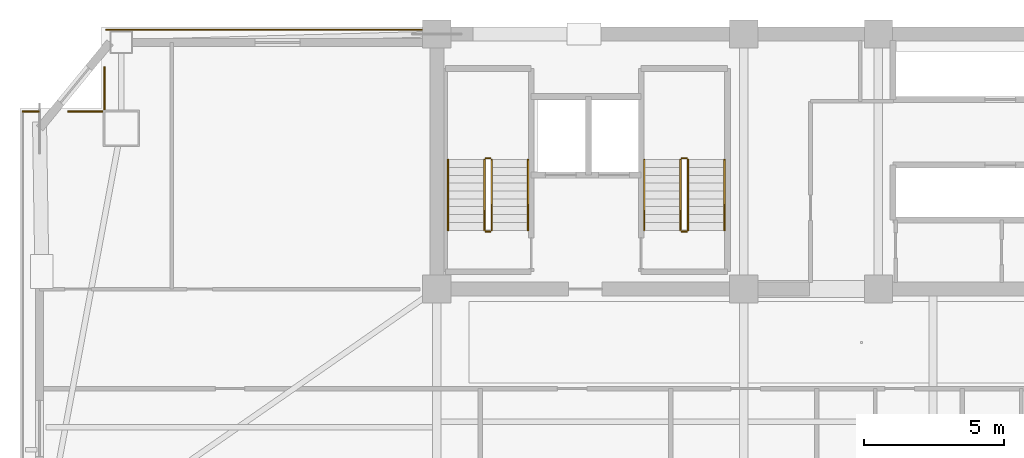
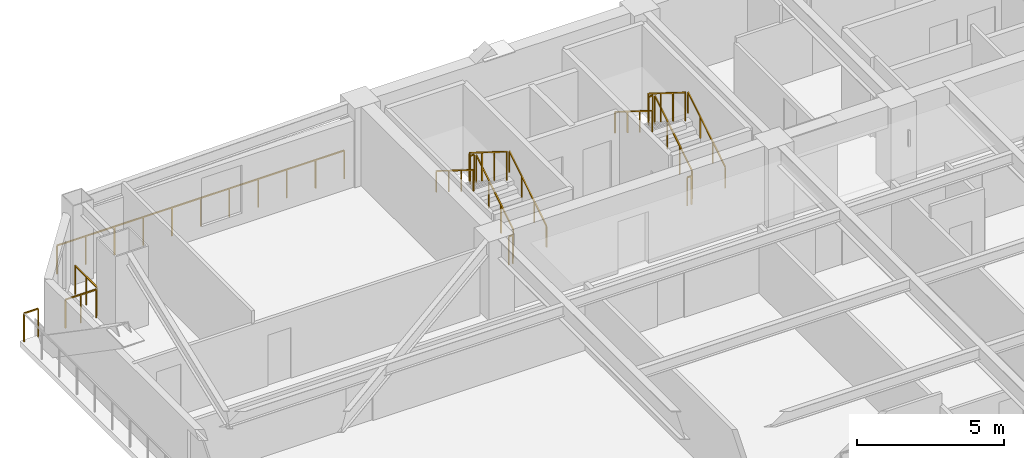
# One storey, part 15 of 16: 16 railings.
"""IFC4 building model written with IfcOpenShell, lengths in metres."""

from ifc_helpers import new_model, si_unit, direction, frame, origin, origin_2d, place, context, subcontext, project, spatial, rectangle, extrude, material, type_object, element, save


model = new_model("IFC4")

# Units and contexts
model_context = context("Model", 3, precision=1e-05, world=origin(), true_north=direction((0.0, 1.0)))
body_context = subcontext(model_context, "Body", "Model", "MODEL_VIEW")
ifc_project = project(units=[si_unit("LENGTHUNIT", "METRE"), si_unit("AREAUNIT", "SQUARE_METRE"), si_unit("VOLUMEUNIT", "CUBIC_METRE"), si_unit("PLANEANGLEUNIT", "RADIAN"), si_unit("MASSUNIT", "GRAM", prefix="KILO")], contexts=[model_context])

# Site, building, storey
site_placement = place(None, origin())
site = spatial("IfcSite", under=ifc_project, at=site_placement, CompositionType="ELEMENT")
building_placement = place(site_placement, origin())
building = spatial("IfcBuilding", under=site, at=building_placement, Name="Giltprow Tower", CompositionType="ELEMENT")
storey_placement = place(building_placement, frame((0.0, 0.0, 159.699951171875)))
storey = spatial("IfcBuildingStorey", under=building, at=storey_placement, Name="L39", CompositionType="ELEMENT", Elevation=159.699951171875)

# Railings
ifc_material = material(Name="Anodized bronze", Category="metal")
railing_type_1 = type_object("IfcRailingType", Name="RAIL-BALC-GUARD-1200", PredefinedType="BALUSTRADE", material=ifc_material)
railing_1_placement = place(storey_placement, frame((5.083984375, 43.787109375, 0.0)))
element("IfcRailing", 1, at=railing_1_placement, inside=storey, type_object=railing_type_1, Name="L39 Corner Apron Edge Balustrade 6", PredefinedType="BALUSTRADE", context=body_context, shape_type="SweptSolid", body=[
    extrude(rectangle(XDim=0.048095703125, YDim=0.048095703125, at=origin_2d()), frame((0.0, 0.0, 1.17578125), z_axis=(1.0, 0.0, 0.0), x_axis=(0.0, 1.0, 0.0)), (0.0, 0.0, 1.0), 0.56201171875),
    extrude(rectangle(XDim=0.0419921875, YDim=0.0419921875, at=origin_2d()), origin(), (0.0, 0.0, 1.0), 1.15185546875),
    extrude(rectangle(XDim=0.0419921875, YDim=0.0419921875, at=origin_2d()), frame((0.56201171875, 0.0, 0.0)), (0.0, 0.0, 1.0), 1.15185546875),
])
railing_2_placement = place(storey_placement, frame((6.70703125, 43.787109375, 0.0)))
element("IfcRailing", 2, at=railing_2_placement, inside=storey, type_object=railing_type_1, Name="L39 Corner Apron Edge Balustrade 7", PredefinedType="BALUSTRADE", context=body_context, shape_type="SweptSolid", body=[
    extrude(rectangle(XDim=0.048095703125, YDim=0.048095703125, at=origin_2d()), frame((0.0, 0.0, 1.17578125), z_axis=(1.0, 0.0, 0.0), x_axis=(0.0, 1.0, 0.0)), (0.0, 0.0, 1.0), 1.205078125),
    extrude(rectangle(XDim=0.0419921875, YDim=0.0419921875, at=origin_2d()), origin(), (0.0, 0.0, 1.0), 1.15185546875),
    extrude(rectangle(XDim=0.0419921875, YDim=0.0419921875, at=origin_2d()), frame((0.6025390625, 0.0, 0.0)), (0.0, 0.0, 1.0), 1.15185546875),
    extrude(rectangle(XDim=0.0419921875, YDim=0.0419921875, at=origin_2d()), frame((1.205078125, 0.0, 0.0)), (0.0, 0.0, 1.0), 1.15185546875),
])
railing_3_placement = place(storey_placement, frame((7.9970703125, 43.8720703125, 0.0)))
element("IfcRailing", 3, at=railing_3_placement, inside=storey, type_object=railing_type_1, Name="L39 Corner Apron Edge Balustrade 8", PredefinedType="BALUSTRADE", context=body_context, shape_type="SweptSolid", body=[
    extrude(rectangle(XDim=0.048095703125, YDim=0.048095703125, at=origin_2d()), frame((0.0, 0.0, 1.17578125), z_axis=(0.0, 1.0, 0.0), x_axis=(-1.0, 0.0, 0.0)), (0.0, 0.0, 1.0), 1.488037109375),
    extrude(rectangle(XDim=0.0419921875, YDim=0.0419921875, at=origin_2d()), origin(), (0.0, 0.0, 1.0), 1.15185546875),
    extrude(rectangle(XDim=0.0419921875, YDim=0.0419921875, at=origin_2d()), frame((0.0, 0.744140625, 0.0)), (0.0, 0.0, 1.0), 1.15185546875),
    extrude(rectangle(XDim=0.0419921875, YDim=0.0419921875, at=origin_2d()), frame((0.0, 1.488037109375, 0.0)), (0.0, 0.0, 1.0), 1.15185546875),
])
railing_4_placement = place(storey_placement, frame((8.05810546875, 46.699951171875, 0.0)))
element("IfcRailing", 4, at=railing_4_placement, inside=storey, type_object=railing_type_1, Name="L39 Corner Apron Edge Balustrade 9", PredefinedType="BALUSTRADE", context=body_context, shape_type="SweptSolid", body=[
    extrude(rectangle(XDim=0.048095703125, YDim=0.048095703125, at=origin_2d()), frame((0.0, 0.0, 1.17578125), z_axis=(1.0, 0.0, 0.0), x_axis=(0.0, 1.0, 0.0)), (0.0, 0.0, 1.0), 11.2568359375),
    extrude(rectangle(XDim=0.0419921875, YDim=0.0419921875, at=origin_2d()), origin(), (0.0, 0.0, 1.0), 1.15185546875),
    extrude(rectangle(XDim=0.0419921875, YDim=0.0419921875, at=origin_2d()), frame((1.125732421875, 0.0, 0.0)), (0.0, 0.0, 1.0), 1.15185546875),
    extrude(rectangle(XDim=0.0419921875, YDim=0.0419921875, at=origin_2d()), frame((2.25146484375, 0.0, 0.0)), (0.0, 0.0, 1.0), 1.15185546875),
    extrude(rectangle(XDim=0.0419921875, YDim=0.0419921875, at=origin_2d()), frame((3.376953125, 0.0, 0.0)), (0.0, 0.0, 1.0), 1.15185546875),
    extrude(rectangle(XDim=0.0419921875, YDim=0.0419921875, at=origin_2d()), frame((4.502685546875, 0.0, 0.0)), (0.0, 0.0, 1.0), 1.15185546875),
    extrude(rectangle(XDim=0.0419921875, YDim=0.0419921875, at=origin_2d()), frame((5.62841796875, 0.0, 0.0)), (0.0, 0.0, 1.0), 1.15185546875),
    extrude(rectangle(XDim=0.0419921875, YDim=0.0419921875, at=origin_2d()), frame((6.754150390625, 0.0, 0.0)), (0.0, 0.0, 1.0), 1.15185546875),
    extrude(rectangle(XDim=0.0419921875, YDim=0.0419921875, at=origin_2d()), frame((7.8798828125, 0.0, 0.0)), (0.0, 0.0, 1.0), 1.15185546875),
    extrude(rectangle(XDim=0.0419921875, YDim=0.0419921875, at=origin_2d()), frame((9.00537109375, 0.0, 0.0)), (0.0, 0.0, 1.0), 1.15185546875),
    extrude(rectangle(XDim=0.0419921875, YDim=0.0419921875, at=origin_2d()), frame((10.131103515625, 0.0, 0.0)), (0.0, 0.0, 1.0), 1.15185546875),
    extrude(rectangle(XDim=0.0419921875, YDim=0.0419921875, at=origin_2d()), frame((11.2568359375, 0.0, 0.0)), (0.0, 0.0, 1.0), 1.15185546875),
])
railing_type_2 = type_object("IfcRailingType", Name="RAIL-STAIR-GUARD-1200", PredefinedType="GUARDRAIL", material=ifc_material)
railing_5_placement = place(storey_placement, frame((21.81005859375, 39.550048828125, 0.175048828125)))
element("IfcRailing", 5, at=railing_5_placement, inside=storey, type_object=railing_type_2, Name="L39 ST-1 stair guard 1", PredefinedType="GUARDRAIL", context=body_context, shape_type="SweptSolid", body=[
    extrude(rectangle(XDim=0.048095703125, YDim=0.048095703125, at=origin_2d()), frame((0.0, 0.0, 1.17578125), z_axis=(0.0, 0.848007534815, 0.529984170421), x_axis=(-1.0, 0.0, 0.0)), (0.0, 0.0, 1.0), 2.9716796875),
    extrude(rectangle(XDim=0.0419921875, YDim=0.0419921875, at=origin_2d()), origin(), (0.0, 0.0, 1.0), 1.15185546875),
    extrude(rectangle(XDim=0.0419921875, YDim=0.0419921875, at=origin_2d()), frame((0.0, 0.840087890625, 0.52490234375)), (0.0, 0.0, 1.0), 1.15185546875),
    extrude(rectangle(XDim=0.0419921875, YDim=0.0419921875, at=origin_2d()), frame((0.0, 1.679931640625, 1.050048828125)), (0.0, 0.0, 1.0), 1.15185546875),
    extrude(rectangle(XDim=0.0419921875, YDim=0.0419921875, at=origin_2d()), frame((0.0, 2.52001953125, 1.574951171875)), (0.0, 0.0, 1.0), 1.15185546875),
])
railing_6_placement = place(storey_placement, frame((21.760009765625, 42.1201171875, 1.75)))
element("IfcRailing", 6, at=railing_6_placement, inside=storey, type_object=railing_type_2, Name="L39 ST-1 stair guard 2", PredefinedType="GUARDRAIL", context=body_context, shape_type="SweptSolid", body=[
    extrude(rectangle(XDim=0.048095703125, YDim=0.048095703125, at=origin_2d()), frame((0.0, 0.0, 1.17578125), z_axis=(-1.0, 0.0, 0.0), x_axis=(0.0, -1.0, 0.0)), (0.0, 0.0, 1.0), 0.159912109375),
    extrude(rectangle(XDim=0.0419921875, YDim=0.0419921875, at=origin_2d()), origin(), (0.0, 0.0, 1.0), 1.15185546875),
    extrude(rectangle(XDim=0.0419921875, YDim=0.0419921875, at=origin_2d()), frame((-0.159912109375, 0.0, 0.0)), (0.0, 0.0, 1.0), 1.15185546875),
])
railing_7_placement = place(storey_placement, frame((21.550048828125, 42.070068359375, 1.925048828125)))
element("IfcRailing", 7, at=railing_7_placement, inside=storey, type_object=railing_type_2, Name="L39 ST-1 stair guard 3", PredefinedType="GUARDRAIL", context=body_context, shape_type="SweptSolid", body=[
    extrude(rectangle(XDim=0.048095703125, YDim=0.048095703125, at=origin_2d()), frame((0.0, 0.0, 1.17578125), z_axis=(0.0, -0.848007534815, 0.529984170421), x_axis=(1.0, 0.0, 0.0)), (0.0, 0.0, 1.0), 2.9716796875),
    extrude(rectangle(XDim=0.0419921875, YDim=0.0419921875, at=origin_2d()), origin(), (0.0, 0.0, 1.0), 1.15185546875),
    extrude(rectangle(XDim=0.0419921875, YDim=0.0419921875, at=origin_2d()), frame((0.0, -0.840087890625, 0.52490234375)), (0.0, 0.0, 1.0), 1.15185546875),
    extrude(rectangle(XDim=0.0419921875, YDim=0.0419921875, at=origin_2d()), frame((0.0, -1.679931640625, 1.050048828125)), (0.0, 0.0, 1.0), 1.15185546875),
    extrude(rectangle(XDim=0.0419921875, YDim=0.0419921875, at=origin_2d()), frame((0.0, -2.52001953125, 1.574951171875)), (0.0, 0.0, 1.0), 1.15185546875),
])
railing_8_placement = place(storey_placement, frame((21.760009765625, 39.5, 0.0)))
element("IfcRailing", 8, at=railing_8_placement, inside=storey, type_object=railing_type_2, Name="L39 ST-1 stair guard 4", PredefinedType="GUARDRAIL", context=body_context, shape_type="SweptSolid", body=[
    extrude(rectangle(XDim=0.048095703125, YDim=0.048095703125, at=origin_2d()), frame((0.0, 0.0, 1.17578125), z_axis=(-1.0, 0.0, 0.0), x_axis=(0.0, -1.0, 0.0)), (0.0, 0.0, 1.0), 0.159912109375),
    extrude(rectangle(XDim=0.0419921875, YDim=0.0419921875, at=origin_2d()), origin(), (0.0, 0.0, 1.0), 1.15185546875),
    extrude(rectangle(XDim=0.0419921875, YDim=0.0419921875, at=origin_2d()), frame((-0.159912109375, 0.0, 0.0)), (0.0, 0.0, 1.0), 1.15185546875),
])
railing_9_placement = place(storey_placement, frame((28.81005859375, 39.550048828125, 0.175048828125)))
element("IfcRailing", 9, at=railing_9_placement, inside=storey, type_object=railing_type_2, Name="L39 ST-2 stair guard 1", PredefinedType="GUARDRAIL", context=body_context, shape_type="SweptSolid", body=[
    extrude(rectangle(XDim=0.048095703125, YDim=0.048095703125, at=origin_2d()), frame((0.0, 0.0, 1.17578125), z_axis=(0.0, 0.848007534815, 0.529984170421), x_axis=(-1.0, 0.0, 0.0)), (0.0, 0.0, 1.0), 2.9716796875),
    extrude(rectangle(XDim=0.0419921875, YDim=0.0419921875, at=origin_2d()), origin(), (0.0, 0.0, 1.0), 1.15185546875),
    extrude(rectangle(XDim=0.0419921875, YDim=0.0419921875, at=origin_2d()), frame((0.0, 0.840087890625, 0.52490234375)), (0.0, 0.0, 1.0), 1.15185546875),
    extrude(rectangle(XDim=0.0419921875, YDim=0.0419921875, at=origin_2d()), frame((0.0, 1.679931640625, 1.050048828125)), (0.0, 0.0, 1.0), 1.15185546875),
    extrude(rectangle(XDim=0.0419921875, YDim=0.0419921875, at=origin_2d()), frame((0.0, 2.52001953125, 1.574951171875)), (0.0, 0.0, 1.0), 1.15185546875),
])
railing_10_placement = place(storey_placement, frame((28.760009765625, 42.1201171875, 1.75)))
element("IfcRailing", 10, at=railing_10_placement, inside=storey, type_object=railing_type_2, Name="L39 ST-2 stair guard 2", PredefinedType="GUARDRAIL", context=body_context, shape_type="SweptSolid", body=[
    extrude(rectangle(XDim=0.048095703125, YDim=0.048095703125, at=origin_2d()), frame((0.0, 0.0, 1.17578125), z_axis=(-1.0, 0.0, 0.0), x_axis=(0.0, -1.0, 0.0)), (0.0, 0.0, 1.0), 0.159912109375),
    extrude(rectangle(XDim=0.0419921875, YDim=0.0419921875, at=origin_2d()), origin(), (0.0, 0.0, 1.0), 1.15185546875),
    extrude(rectangle(XDim=0.0419921875, YDim=0.0419921875, at=origin_2d()), frame((-0.159912109375, 0.0, 0.0)), (0.0, 0.0, 1.0), 1.15185546875),
])
railing_11_placement = place(storey_placement, frame((28.550048828125, 42.070068359375, 1.925048828125)))
element("IfcRailing", 11, at=railing_11_placement, inside=storey, type_object=railing_type_2, Name="L39 ST-2 stair guard 3", PredefinedType="GUARDRAIL", context=body_context, shape_type="SweptSolid", body=[
    extrude(rectangle(XDim=0.048095703125, YDim=0.048095703125, at=origin_2d()), frame((0.0, 0.0, 1.17578125), z_axis=(0.0, -0.848007534815, 0.529984170421), x_axis=(1.0, 0.0, 0.0)), (0.0, 0.0, 1.0), 2.9716796875),
    extrude(rectangle(XDim=0.0419921875, YDim=0.0419921875, at=origin_2d()), origin(), (0.0, 0.0, 1.0), 1.15185546875),
    extrude(rectangle(XDim=0.0419921875, YDim=0.0419921875, at=origin_2d()), frame((0.0, -0.840087890625, 0.52490234375)), (0.0, 0.0, 1.0), 1.15185546875),
    extrude(rectangle(XDim=0.0419921875, YDim=0.0419921875, at=origin_2d()), frame((0.0, -1.679931640625, 1.050048828125)), (0.0, 0.0, 1.0), 1.15185546875),
    extrude(rectangle(XDim=0.0419921875, YDim=0.0419921875, at=origin_2d()), frame((0.0, -2.52001953125, 1.574951171875)), (0.0, 0.0, 1.0), 1.15185546875),
])
railing_12_placement = place(storey_placement, frame((28.760009765625, 39.5, 0.0)))
element("IfcRailing", 12, at=railing_12_placement, inside=storey, type_object=railing_type_2, Name="L39 ST-2 stair guard 4", PredefinedType="GUARDRAIL", context=body_context, shape_type="SweptSolid", body=[
    extrude(rectangle(XDim=0.048095703125, YDim=0.048095703125, at=origin_2d()), frame((0.0, 0.0, 1.17578125), z_axis=(-1.0, 0.0, 0.0), x_axis=(0.0, -1.0, 0.0)), (0.0, 0.0, 1.0), 0.159912109375),
    extrude(rectangle(XDim=0.0419921875, YDim=0.0419921875, at=origin_2d()), origin(), (0.0, 0.0, 1.0), 1.15185546875),
    extrude(rectangle(XDim=0.0419921875, YDim=0.0419921875, at=origin_2d()), frame((-0.159912109375, 0.0, 0.0)), (0.0, 0.0, 1.0), 1.15185546875),
])
railing_type_3 = type_object("IfcRailingType", Name="RAIL-STAIR-HAND-900", PredefinedType="HANDRAIL", material=ifc_material)
railing_13_placement = place(storey_placement, frame((23.110107421875, 39.550048828125, 0.175048828125)))
element("IfcRailing", 13, at=railing_13_placement, inside=storey, type_object=railing_type_3, Name="L39 ST-1 stair handrail 1", PredefinedType="HANDRAIL", context=body_context, shape_type="SweptSolid", body=[
    extrude(rectangle(XDim=0.048095703125, YDim=0.048095703125, at=origin_2d()), frame((0.0, 0.0, 0.8759765625), z_axis=(0.0, 0.848007534815, 0.529984170421), x_axis=(-1.0, 0.0, 0.0)), (0.0, 0.0, 1.0), 2.9716796875),
    extrude(rectangle(XDim=0.0419921875, YDim=0.0419921875, at=origin_2d()), origin(), (0.0, 0.0, 1.0), 0.851806640625),
    extrude(rectangle(XDim=0.0419921875, YDim=0.0419921875, at=origin_2d()), frame((0.0, 0.840087890625, 0.52490234375)), (0.0, 0.0, 1.0), 0.851806640625),
    extrude(rectangle(XDim=0.0419921875, YDim=0.0419921875, at=origin_2d()), frame((0.0, 1.679931640625, 1.050048828125)), (0.0, 0.0, 1.0), 0.851806640625),
    extrude(rectangle(XDim=0.0419921875, YDim=0.0419921875, at=origin_2d()), frame((0.0, 2.52001953125, 1.574951171875)), (0.0, 0.0, 1.0), 0.851806640625),
])
railing_14_placement = place(storey_placement, frame((20.25, 42.070068359375, 1.925048828125)))
element("IfcRailing", 14, at=railing_14_placement, inside=storey, type_object=railing_type_3, Name="L39 ST-1 stair handrail 2", PredefinedType="HANDRAIL", context=body_context, shape_type="SweptSolid", body=[
    extrude(rectangle(XDim=0.048095703125, YDim=0.048095703125, at=origin_2d()), frame((0.0, 0.0, 0.8759765625), z_axis=(0.0, -0.848007534815, 0.529984170421), x_axis=(1.0, 0.0, 0.0)), (0.0, 0.0, 1.0), 2.9716796875),
    extrude(rectangle(XDim=0.0419921875, YDim=0.0419921875, at=origin_2d()), origin(), (0.0, 0.0, 1.0), 0.851806640625),
    extrude(rectangle(XDim=0.0419921875, YDim=0.0419921875, at=origin_2d()), frame((0.0, -0.840087890625, 0.52490234375)), (0.0, 0.0, 1.0), 0.851806640625),
    extrude(rectangle(XDim=0.0419921875, YDim=0.0419921875, at=origin_2d()), frame((0.0, -1.679931640625, 1.050048828125)), (0.0, 0.0, 1.0), 0.851806640625),
    extrude(rectangle(XDim=0.0419921875, YDim=0.0419921875, at=origin_2d()), frame((0.0, -2.52001953125, 1.574951171875)), (0.0, 0.0, 1.0), 0.851806640625),
])
railing_15_placement = place(storey_placement, frame((30.110107421875, 39.550048828125, 0.175048828125)))
element("IfcRailing", 15, at=railing_15_placement, inside=storey, type_object=railing_type_3, Name="L39 ST-2 stair handrail 1", PredefinedType="HANDRAIL", context=body_context, shape_type="SweptSolid", body=[
    extrude(rectangle(XDim=0.048095703125, YDim=0.048095703125, at=origin_2d()), frame((0.0, 0.0, 0.8759765625), z_axis=(0.0, 0.848007534815, 0.529984170421), x_axis=(-1.0, 0.0, 0.0)), (0.0, 0.0, 1.0), 2.9716796875),
    extrude(rectangle(XDim=0.0419921875, YDim=0.0419921875, at=origin_2d()), origin(), (0.0, 0.0, 1.0), 0.851806640625),
    extrude(rectangle(XDim=0.0419921875, YDim=0.0419921875, at=origin_2d()), frame((0.0, 0.840087890625, 0.52490234375)), (0.0, 0.0, 1.0), 0.851806640625),
    extrude(rectangle(XDim=0.0419921875, YDim=0.0419921875, at=origin_2d()), frame((0.0, 1.679931640625, 1.050048828125)), (0.0, 0.0, 1.0), 0.851806640625),
    extrude(rectangle(XDim=0.0419921875, YDim=0.0419921875, at=origin_2d()), frame((0.0, 2.52001953125, 1.574951171875)), (0.0, 0.0, 1.0), 0.851806640625),
])
railing_16_placement = place(storey_placement, frame((27.25, 42.070068359375, 1.925048828125)))
element("IfcRailing", 16, at=railing_16_placement, inside=storey, type_object=railing_type_3, Name="L39 ST-2 stair handrail 2", PredefinedType="HANDRAIL", context=body_context, shape_type="SweptSolid", body=[
    extrude(rectangle(XDim=0.048095703125, YDim=0.048095703125, at=origin_2d()), frame((0.0, 0.0, 0.8759765625), z_axis=(0.0, -0.848007534815, 0.529984170421), x_axis=(1.0, 0.0, 0.0)), (0.0, 0.0, 1.0), 2.9716796875),
    extrude(rectangle(XDim=0.0419921875, YDim=0.0419921875, at=origin_2d()), origin(), (0.0, 0.0, 1.0), 0.851806640625),
    extrude(rectangle(XDim=0.0419921875, YDim=0.0419921875, at=origin_2d()), frame((0.0, -0.840087890625, 0.52490234375)), (0.0, 0.0, 1.0), 0.851806640625),
    extrude(rectangle(XDim=0.0419921875, YDim=0.0419921875, at=origin_2d()), frame((0.0, -1.679931640625, 1.050048828125)), (0.0, 0.0, 1.0), 0.851806640625),
    extrude(rectangle(XDim=0.0419921875, YDim=0.0419921875, at=origin_2d()), frame((0.0, -2.52001953125, 1.574951171875)), (0.0, 0.0, 1.0), 0.851806640625),
])

save(model, "model.ifc")
